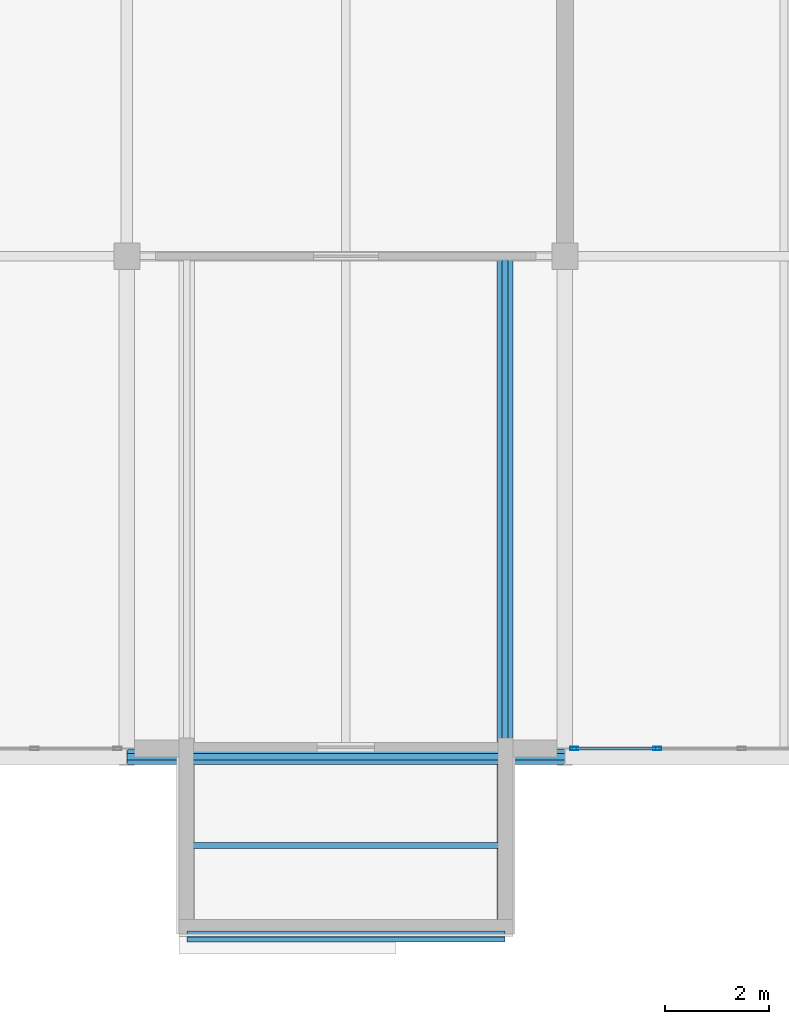
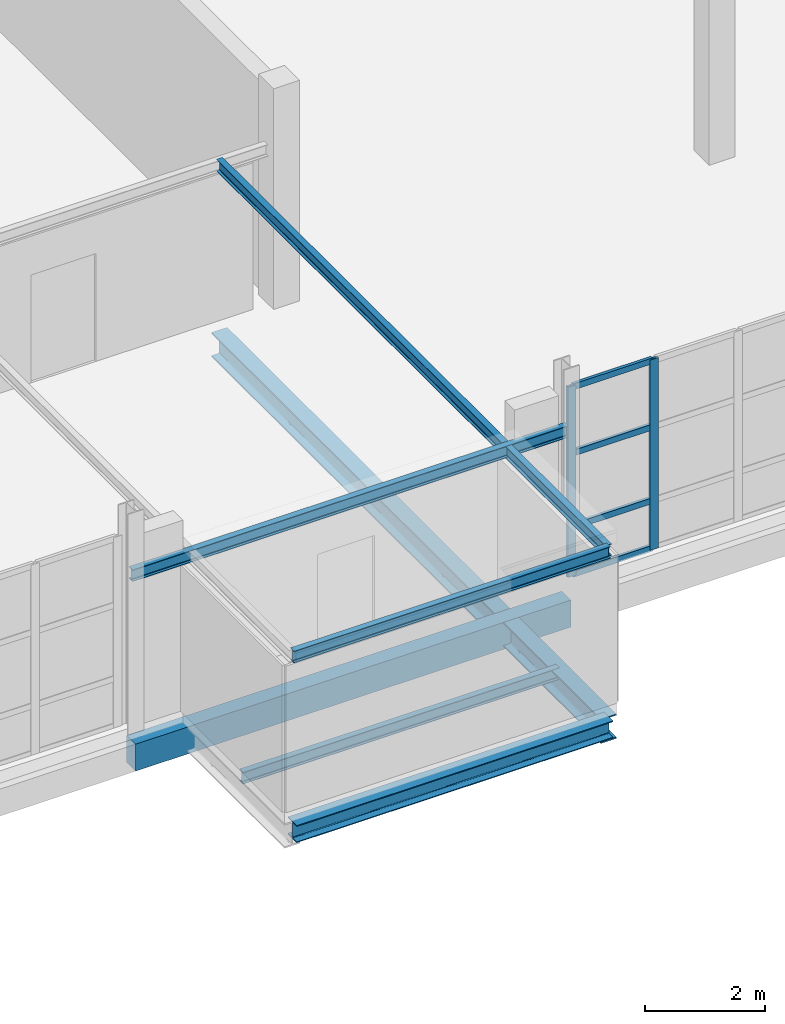
# One storey, part 47 of 103: 7 beams, 6 members, 1 element without a shape of its own.
"""IFC4 building model written with IfcOpenShell, lengths in metres."""

from ifc_helpers import new_model, si_unit, direction, frame, origin, origin_2d, place, context, subcontext, project, spatial, rectangle, hollow_rectangle, i_section, extrude, material, material_profile, profile_set, type_object, element, aggregate, save


model = new_model("IFC4")

# Units and contexts
model_context = context("Model", 3, precision=1e-05, world=origin(), true_north=direction((0.0, 1.0)))
body_context = subcontext(model_context, "Body", "Model", "MODEL_VIEW")
ifc_project = project(units=[si_unit("LENGTHUNIT", "METRE"), si_unit("AREAUNIT", "SQUARE_METRE"), si_unit("VOLUMEUNIT", "CUBIC_METRE"), si_unit("PLANEANGLEUNIT", "RADIAN"), si_unit("MASSUNIT", "GRAM", prefix="KILO")], contexts=[model_context])

# Site, building, storey
site_placement = place(None, origin())
site = spatial("IfcSite", under=ifc_project, at=site_placement, CompositionType="ELEMENT")
building_placement = place(site_placement, origin())
building = spatial("IfcBuilding", under=site, at=building_placement, Name="Veltarok Museum of Natural Sciences", CompositionType="ELEMENT")
storey_placement = place(building_placement, frame((0.0, 0.0, 21.89990234375)))
storey = spatial("IfcBuildingStorey", under=building, at=storey_placement, Name="L04", CompositionType="ELEMENT", Elevation=21.89990234375)

# Beams
ifc_material_1 = material(Name="Steel S355J2", Category="steel")
ifc_material_profile_1 = material_profile(ifc_material_1, i_section(OverallWidth=0.300048828125, OverallDepth=0.5, WebThickness=0.014404296875, FlangeThickness=0.028076171875, FilletRadius=0.027099609375, at=origin_2d()), Name="HEB 500")
ifc_profile_set_1 = profile_set([ifc_material_profile_1], Name="Steel S355J2")
beam_type_1 = type_object("IfcBeamType", Name="Cabinet Box Cantilever Girder HEB 500", PredefinedType="BEAM", material=ifc_profile_set_1)
beam_1_placement = place(storey_placement, frame((131.25, -3.39990234375, -0.5), z_axis=(0.0, 1.0, 0.0), x_axis=(-1.0, 0.0, 0.0)))
element("IfcBeam", 1, at=beam_1_placement, inside=storey, type_object=beam_type_1, Name="Cabinet Cantilever Girder DB-24-2", PredefinedType="BEAM", context=body_context, shape_type="SweptSolid", body=[
    extrude(i_section(OverallWidth=0.300048828125, OverallDepth=0.5, WebThickness=0.014404296875, FlangeThickness=0.028076171875, FilletRadius=0.027099609375, at=origin_2d()), origin(), (0.0, 0.0, 1.0), 13.0),
])
ifc_material_profile_2 = material_profile(ifc_material_1, i_section(OverallWidth=0.1201171875, OverallDepth=0.239990234375, WebThickness=0.006103515625, FlangeThickness=0.009765625, FilletRadius=0.014892578125, at=origin_2d()), Name="IPE 240")
ifc_profile_set_2 = profile_set([ifc_material_profile_2], Name="Steel S355J2")
beam_type_2 = type_object("IfcBeamType", Name="Cabinet Box Secondary Joist IPE 240", PredefinedType="JOIST", material=ifc_profile_set_2)
beam_2_placement = place(storey_placement, frame((131.25, -3.39990234375, 3.130126953125), z_axis=(0.0, 1.0, 0.0), x_axis=(-1.0, 0.0, 0.0)))
element("IfcBeam", 2, at=beam_2_placement, inside=storey, type_object=beam_type_2, Name="Cabinet Roof Rafter DB-24-2", PredefinedType="JOIST", context=body_context, shape_type="SweptSolid", body=[
    extrude(i_section(OverallWidth=0.1201171875, OverallDepth=0.239990234375, WebThickness=0.006103515625, FlangeThickness=0.009765625, FilletRadius=0.014892578125, at=origin_2d()), origin(), (0.0, 0.0, 1.0), 13.0),
])
beam_3_placement = place(storey_placement, frame((124.0, 0.0, 3.130126953125), z_axis=(1.0, 0.0, 0.0), x_axis=(0.0, 1.0, 0.0)))
element("IfcBeam", 3, at=beam_3_placement, inside=storey, type_object=beam_type_2, Name="Cabinet Roof Tie Beam DB-24-P", PredefinedType="JOIST", context=body_context, shape_type="SweptSolid", body=[
    extrude(i_section(OverallWidth=0.1201171875, OverallDepth=0.239990234375, WebThickness=0.006103515625, FlangeThickness=0.009765625, FilletRadius=0.014892578125, at=origin_2d()), origin(), (0.0, 0.0, 1.0), 8.39990234375),
])
for number, where, z_axis, x_axis, name in (
    (4, (125.14990234375, -3.39990234375, 3.130126953125), (1.0, 0.0, 0.0), (0.0, 1.0, 0.0), "Cabinet Roof Tip Header DB-24"),
    (5, (125.14990234375, -1.699951171875, -0.369873046875), (1.0, 0.0, 0.0), (0.0, 1.0, 0.0), "Cabinet Box Joist DB-24"),
):
    element("IfcBeam", number, at=place(storey_placement, frame(where, z_axis=z_axis, x_axis=x_axis)), inside=storey, type_object=beam_type_2, Name=name, PredefinedType="JOIST", context=body_context, shape_type="SweptSolid", body=[
        extrude(i_section(OverallWidth=0.1201171875, OverallDepth=0.239990234375, WebThickness=0.006103515625, FlangeThickness=0.009765625, FilletRadius=0.014892578125, at=origin_2d()), origin(), (0.0, 0.0, 1.0), 6.10009765625),
    ])
ifc_material_profile_3 = material_profile(ifc_material_1, i_section(OverallWidth=0.300048828125, OverallDepth=0.35009765625, WebThickness=0.010009765625, FlangeThickness=0.017578125, FilletRadius=0.027099609375, at=origin_2d()), Name="HEA 360")
ifc_profile_set_3 = profile_set([ifc_material_profile_3], Name="Steel S355J2")
beam_type_3 = type_object("IfcBeamType", Name="Cabinet Box Tip Header HEA 360", PredefinedType="BEAM", material=ifc_profile_set_3)
beam_4_placement = place(storey_placement, frame((125.14990234375, -3.39990234375, -0.4248046875), z_axis=(1.0, 0.0, 0.0), x_axis=(0.0, 1.0, 0.0)))
element("IfcBeam", 6, at=beam_4_placement, inside=storey, type_object=beam_type_3, Name="Cabinet Tip Header DB-24", PredefinedType="BEAM", context=body_context, shape_type="SweptSolid", body=[
    extrude(i_section(OverallWidth=0.300048828125, OverallDepth=0.35009765625, WebThickness=0.010009765625, FlangeThickness=0.017578125, FilletRadius=0.027099609375, at=origin_2d()), origin(), (0.0, 0.0, 1.0), 6.10009765625),
])

# Curtain wall, members
ifc_material_2 = material(Name="Low-iron triple insulated glass", Category="glass")
curtain_wall_type = type_object("IfcCurtainWallType", Name="Curtain Wall System CW-V5S-L04-16-810x388 (V5 South Lab Curtain Wall L04 16-17 810x388cm)", PredefinedType="NOTDEFINED", material=ifc_material_2)
curtain_wall_placement = place(storey_placement, origin())
curtain_wall = element("IfcCurtainWall", 7, at=curtain_wall_placement, inside=storey, type_object=curtain_wall_type, Name="Curtain Wall CW-V5S-L04-16-810x388 CW-0097", PredefinedType="NOTDEFINED")
ifc_material_3 = material(Name="Thermally broken anodised aluminium", Category="aluminium")
ifc_material_profile_4 = material_profile(ifc_material_3, hollow_rectangle(XDim=0.06005859375, YDim=0.1201171875, WallThickness=0.0048828125, at=origin_2d()), Name="CW TRANSOM 60x120x5")
ifc_profile_set_4 = profile_set([ifc_material_profile_4], Name="Thermally broken anodised aluminium")
member_type_1 = type_object("IfcMemberType", Name="Curtain Wall Horizontal Transom 60x120x5", PredefinedType="USERDEFINED", material=ifc_profile_set_4)
member_1_placement = place(storey_placement, frame((132.610107421875, 0.159912109375, 0.030029296875), z_axis=(1.0, 0.0, 0.0), x_axis=(0.0, 1.0, 0.0)))
member_1 = element("IfcMember", 8, at=member_1_placement, type_object=member_type_1, Name="CW-V5S-L04-16-810x388 transom 1.1", ObjectType="TRANSOM", PredefinedType="USERDEFINED", context=body_context, shape_type="SweptSolid", body=[
    extrude(hollow_rectangle(XDim=0.06005859375, YDim=0.1201171875, WallThickness=0.0048828125, at=origin_2d()), origin(), (0.0, 0.0, 1.0), 1.52978515625),
])
member_2_placement = place(storey_placement, frame((132.610107421875, 0.159912109375, 1.0), z_axis=(1.0, 0.0, 0.0), x_axis=(0.0, 1.0, 0.0)))
member_2 = element("IfcMember", 9, at=member_2_placement, type_object=member_type_1, Name="CW-V5S-L04-16-810x388 transom 1.2", ObjectType="TRANSOM", PredefinedType="USERDEFINED", context=body_context, shape_type="SweptSolid", body=[
    extrude(hollow_rectangle(XDim=0.06005859375, YDim=0.1201171875, WallThickness=0.0048828125, at=origin_2d()), origin(), (0.0, 0.0, 1.0), 1.52978515625),
])
member_3_placement = place(storey_placement, frame((132.610107421875, 0.159912109375, 2.5), z_axis=(1.0, 0.0, 0.0), x_axis=(0.0, 1.0, 0.0)))
member_3 = element("IfcMember", 10, at=member_3_placement, type_object=member_type_1, Name="CW-V5S-L04-16-810x388 transom 1.3", ObjectType="TRANSOM", PredefinedType="USERDEFINED", context=body_context, shape_type="SweptSolid", body=[
    extrude(hollow_rectangle(XDim=0.06005859375, YDim=0.1201171875, WallThickness=0.0048828125, at=origin_2d()), origin(), (0.0, 0.0, 1.0), 1.52978515625),
])
member_4_placement = place(storey_placement, frame((132.610107421875, 0.159912109375, 3.85009765625), z_axis=(1.0, 0.0, 0.0), x_axis=(0.0, 1.0, 0.0)))
member_4 = element("IfcMember", 11, at=member_4_placement, type_object=member_type_1, Name="CW-V5S-L04-16-810x388 transom 1.4", ObjectType="TRANSOM", PredefinedType="USERDEFINED", context=body_context, shape_type="SweptSolid", body=[
    extrude(hollow_rectangle(XDim=0.06005859375, YDim=0.1201171875, WallThickness=0.0048828125, at=origin_2d()), origin(), (0.0, 0.0, 1.0), 1.52978515625),
])
ifc_material_profile_5 = material_profile(ifc_material_3, hollow_rectangle(XDim=0.06005859375, YDim=0.159912109375, WallThickness=0.0048828125, at=origin_2d()), Name="CW MULLION 60x160x5")
ifc_profile_set_5 = profile_set([ifc_material_profile_5], Name="Thermally broken anodised aluminium")
member_type_2 = type_object("IfcMemberType", Name="Curtain Wall Vertical Mullion 60x160x5", PredefinedType="MULLION", material=ifc_profile_set_5)
member_5_placement = place(storey_placement, frame((132.580078125, 0.159912109375, 0.0), z_axis=(0.0, 0.0, 1.0), x_axis=(0.0, 1.0, 0.0)))
member_5 = element("IfcMember", 12, at=member_5_placement, type_object=member_type_2, Name="CW-V5S-L04-16-810x388 mullion 1", PredefinedType="MULLION", context=body_context, shape_type="SweptSolid", body=[
    extrude(hollow_rectangle(XDim=0.06005859375, YDim=0.159912109375, WallThickness=0.0048828125, at=origin_2d()), origin(), (0.0, 0.0, 1.0), 3.880126953125),
])
member_6_placement = place(storey_placement, frame((134.169921875, 0.159912109375, 0.0), z_axis=(0.0, 0.0, 1.0), x_axis=(0.0, 1.0, 0.0)))
member_6 = element("IfcMember", 13, at=member_6_placement, type_object=member_type_2, Name="CW-V5S-L04-16-810x388 mullion 2", PredefinedType="MULLION", context=body_context, shape_type="SweptSolid", body=[
    extrude(hollow_rectangle(XDim=0.06005859375, YDim=0.159912109375, WallThickness=0.0048828125, at=origin_2d()), origin(), (0.0, 0.0, 1.0), 3.880126953125),
])
aggregate(curtain_wall, [member_5, member_6, member_1, member_2, member_3, member_4])

# Beam
ifc_material_4 = material(Name="Precast concrete C40/50", Category="concrete")
ifc_material_profile_6 = material_profile(ifc_material_4, rectangle(XDim=0.300048828125, YDim=0.550048828125, at=origin_2d()), Name="RC 300x550")
ifc_profile_set_6 = profile_set([ifc_material_profile_6], Name="Precast concrete C40/50")
beam_type_4 = type_object("IfcBeamType", Name="East Wing Precast Spandrel RC 300x550", PredefinedType="SPANDREL", material=ifc_profile_set_6)
beam_5_placement = place(storey_placement, frame((124.0, 0.0, -0.52490234375), z_axis=(1.0, 0.0, 0.0), x_axis=(0.0, 1.0, 0.0)))
element("IfcBeam", 14, at=beam_5_placement, inside=storey, type_object=beam_type_4, Name="Beam BM-SP02 L04 15-16/A", PredefinedType="SPANDREL", context=body_context, shape_type="SweptSolid", body=[
    extrude(rectangle(XDim=0.300048828125, YDim=0.550048828125, at=origin_2d()), origin(), (0.0, 0.0, 1.0), 8.39990234375),
])

save(model, "model.ifc")
